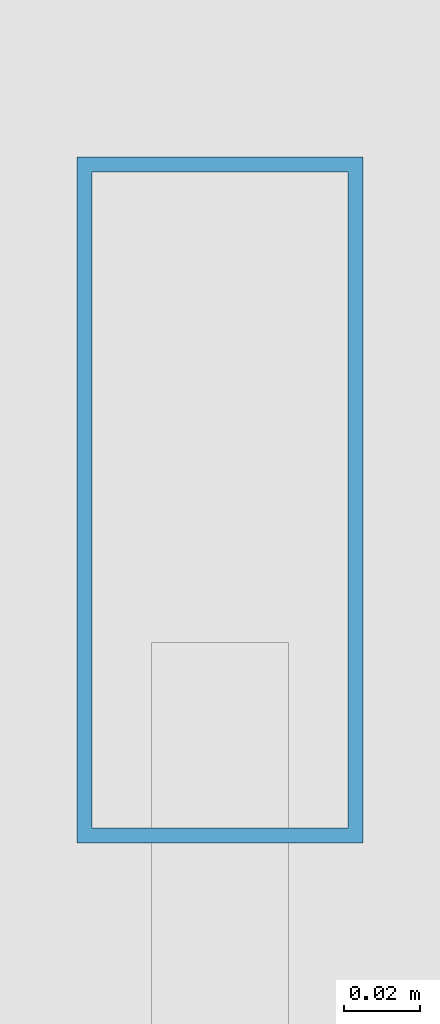
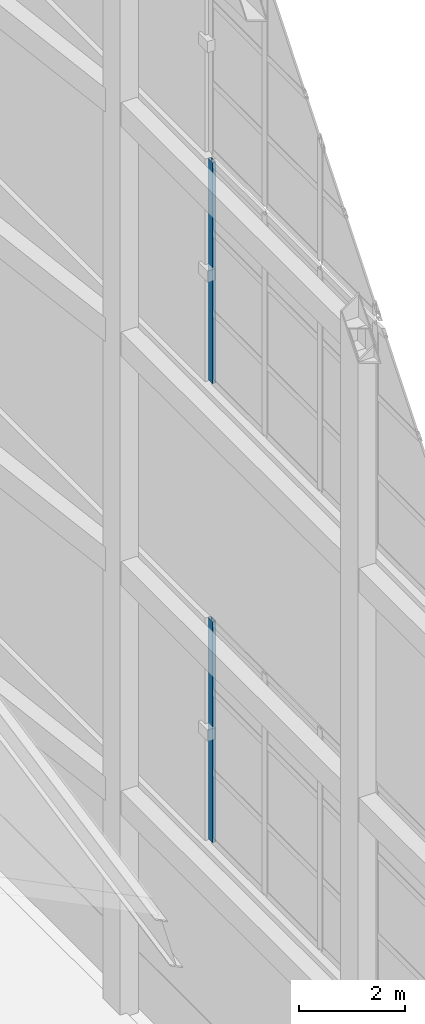
# One storey, part 41 of 47: 2 members, 2 elements without a shape of their own.
"""IFC4 building model written with IfcOpenShell, lengths in metres."""

from ifc_helpers import new_model, si_unit, direction, frame, origin, origin_2d, place, context, subcontext, project, spatial, hollow_rectangle, extrude, material, layer, layer_set, material_profile, profile_set, type_object, element, aggregate, save


model = new_model("IFC4")

# Units and contexts
model_context = context("Model", 3, precision=1e-05, world=origin(), true_north=direction((0.0, 1.0)))
body_context = subcontext(model_context, "Body", "Model", "MODEL_VIEW")
ifc_project = project(units=[si_unit("LENGTHUNIT", "METRE"), si_unit("AREAUNIT", "SQUARE_METRE"), si_unit("VOLUMEUNIT", "CUBIC_METRE"), si_unit("PLANEANGLEUNIT", "RADIAN"), si_unit("MASSUNIT", "GRAM", prefix="KILO")], contexts=[model_context])

# Site, building, storey
site_placement = place(None, origin())
site = spatial("IfcSite", under=ifc_project, at=site_placement, CompositionType="ELEMENT")
building_placement = place(site_placement, origin())
building = spatial("IfcBuilding", under=site, at=building_placement, Name="Qiaolan Cultural Towers", CompositionType="ELEMENT")
storey_placement = place(building_placement, frame((0.0, 0.0, 280.199951171875)))
storey = spatial("IfcBuildingStorey", under=building, at=storey_placement, Name="RF", CompositionType="ELEMENT", Elevation=280.199951171875)

# Curtain wall, member
ifc_material_1 = material(Name="Unitized Anodized Aluminium Curtain Wall System", Category="aluminium")
ifc_layer = layer(ifc_material_1, 0.199951171875)
ifc_layer_set = layer_set([ifc_layer], Name="Unitized Anodized Aluminium Curtain Wall System")
curtain_wall_type = type_object("IfcCurtainWallType", Name="CWS-06", PredefinedType="NOTDEFINED", material=ifc_layer_set)
curtain_wall_1_placement = place(storey_placement, origin())
curtain_wall_1 = element("IfcCurtainWall", 1, at=curtain_wall_1_placement, inside=storey, type_object=curtain_wall_type, Name="T1 Crown Tier 2 Fritted Screen Curtain Wall 3", PredefinedType="NOTDEFINED")
ifc_material_2 = material(Name="Extruded Aluminium 6063-T6", Category="aluminium")
ifc_material_profile = material_profile(ifc_material_2, hollow_rectangle(XDim=0.074951171875, YDim=0.179931640625, WallThickness=0.00390625, at=origin_2d()), Name="CWM-180x75x4")
ifc_profile_set = profile_set([ifc_material_profile], Name="Extruded Aluminium 6063-T6")
member_type = type_object("IfcMemberType", Name="CWS-06-MUL", PredefinedType="MULLION", material=ifc_profile_set)
member_1_placement = place(storey_placement, frame((45.050048828125, 40.232421875, 5.400146484375), z_axis=(0.0, 0.0, 1.0), x_axis=(-1.0, 0.0, 0.0)))
member_1 = element("IfcMember", 2, at=member_1_placement, type_object=member_type, Name="CW-6 mullion 7", PredefinedType="MULLION", context=body_context, shape_type="SweptSolid", body=[
    extrude(hollow_rectangle(XDim=0.074951171875, YDim=0.179931640625, WallThickness=0.00390625, at=origin_2d()), origin(), (0.0, 0.0, 1.0), 5.099853515625),
])
aggregate(curtain_wall_1, [member_1])

curtain_wall_2_placement = place(storey_placement, origin())
curtain_wall_2 = element("IfcCurtainWall", 3, at=curtain_wall_2_placement, inside=storey, type_object=curtain_wall_type, Name="T1 Crown Tier 4 Fritted Screen Curtain Wall 3", PredefinedType="NOTDEFINED")
member_2_placement = place(storey_placement, frame((45.050048828125, 40.232421875, 16.0), z_axis=(0.0, 0.0, 1.0), x_axis=(-1.0, 0.0, 0.0)))
member_2 = element("IfcMember", 4, at=member_2_placement, type_object=member_type, Name="CW-6 mullion 7", PredefinedType="MULLION", context=body_context, shape_type="SweptSolid", body=[
    extrude(hollow_rectangle(XDim=0.074951171875, YDim=0.179931640625, WallThickness=0.00390625, at=origin_2d()), origin(), (0.0, 0.0, 1.0), 5.10009765625),
])
aggregate(curtain_wall_2, [member_2])

save(model, "model.ifc")
